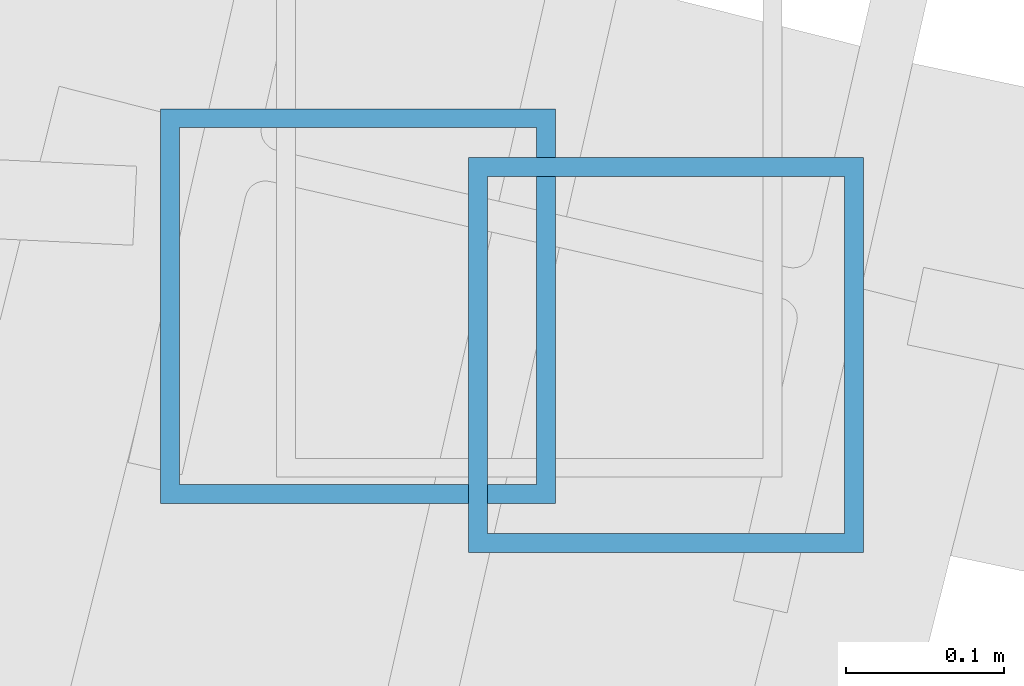
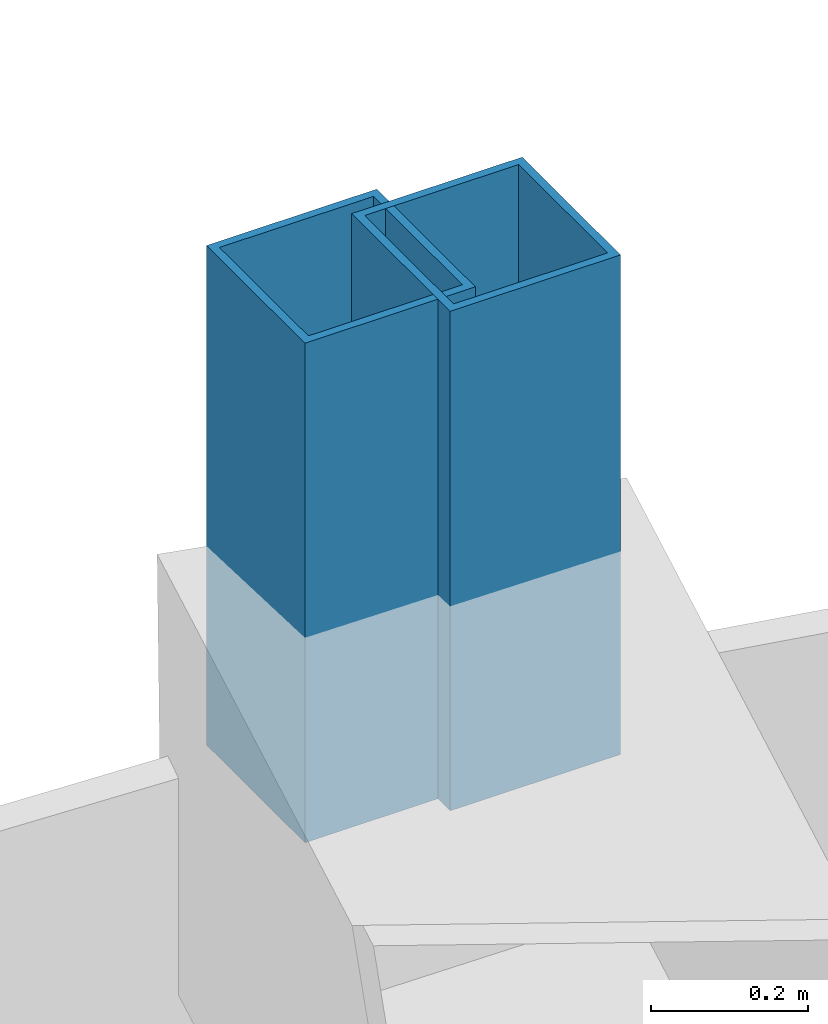
# One storey, part 134 of 162: 2 members.
"""IFC4 building model written with IfcOpenShell, lengths in metres."""

from ifc_helpers import new_model, si_unit, direction, frame, origin, origin_2d, place, context, subcontext, project, spatial, hollow_rectangle, extrude, material, material_profile, profile_set, type_object, element, save


model = new_model("IFC4")

# Units and contexts
model_context = context("Model", 3, precision=1e-05, world=origin(), true_north=direction((0.0, 1.0)))
body_context = subcontext(model_context, "Body", "Model", "MODEL_VIEW")
ifc_project = project(units=[si_unit("LENGTHUNIT", "METRE"), si_unit("AREAUNIT", "SQUARE_METRE"), si_unit("VOLUMEUNIT", "CUBIC_METRE"), si_unit("PLANEANGLEUNIT", "RADIAN"), si_unit("MASSUNIT", "GRAM", prefix="KILO")], contexts=[model_context])

# Site, building, storey
site_placement = place(None, origin())
site = spatial("IfcSite", under=ifc_project, at=site_placement, CompositionType="ELEMENT")
building_placement = place(site_placement, origin())
building = spatial("IfcBuilding", under=site, at=building_placement, Name="Kazemori Nagisa Stadium", CompositionType="ELEMENT")
storey_placement = place(building_placement, frame((0.0, 0.0, 36.719970703125)))
storey = spatial("IfcBuildingStorey", under=building, at=storey_placement, Name="RF", CompositionType="ELEMENT", Elevation=36.719970703125)

# Members
ifc_material = material(Name="Steel STKR490", Category="steel")
ifc_material_profile = material_profile(ifc_material, hollow_rectangle(XDim=0.25, YDim=0.25, WallThickness=0.011962890625, at=origin_2d()), Name="SHS-250x250x12")
ifc_profile_set = profile_set([ifc_material_profile], Name="Steel STKR490")
member_type = type_object("IfcMemberType", Name="Member_ST-SHS250", PredefinedType="STUD", material=ifc_profile_set)
for number, where, z_axis, x_axis, name in (
    (1, (144.514404296875, 186.904052734375, 5.10009765625), (0.0, 0.0, 1.0), (1.0, 0.0, 0.0), "Canopy bearing stool B06-outer-2"),
    (2, (144.3193359375, 186.93505859375, 5.10009765625), (0.0, 0.0, 1.0), (1.0, 0.0, 0.0), "Canopy bearing stool B07-outer-1"),
):
    element("IfcMember", number, at=place(storey_placement, frame(where, z_axis=z_axis, x_axis=x_axis)), inside=storey, type_object=member_type, Name=name, PredefinedType="STUD", context=body_context, shape_type="SweptSolid", body=[
        extrude(hollow_rectangle(XDim=0.25, YDim=0.25, WallThickness=0.011962890625, at=origin_2d()), origin(), (0.0, 0.0, 1.0), 0.77490234375),
    ])

save(model, "model.ifc")
